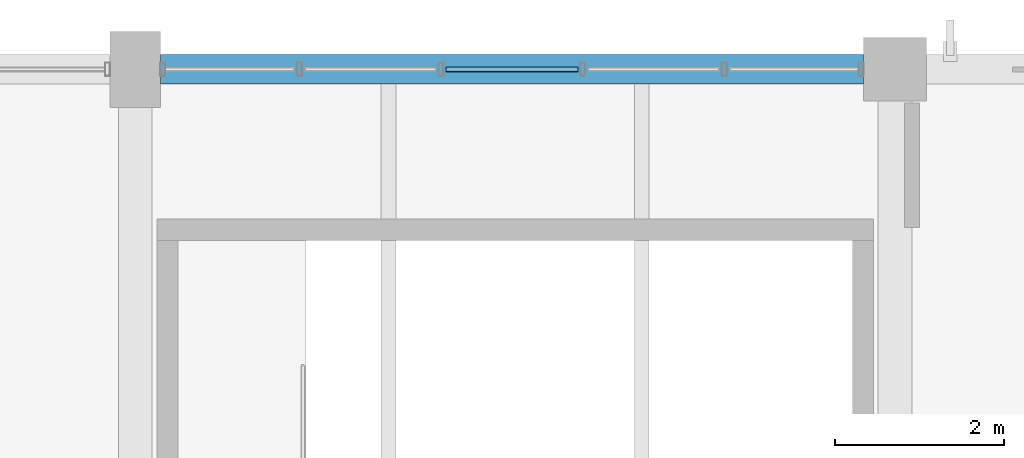
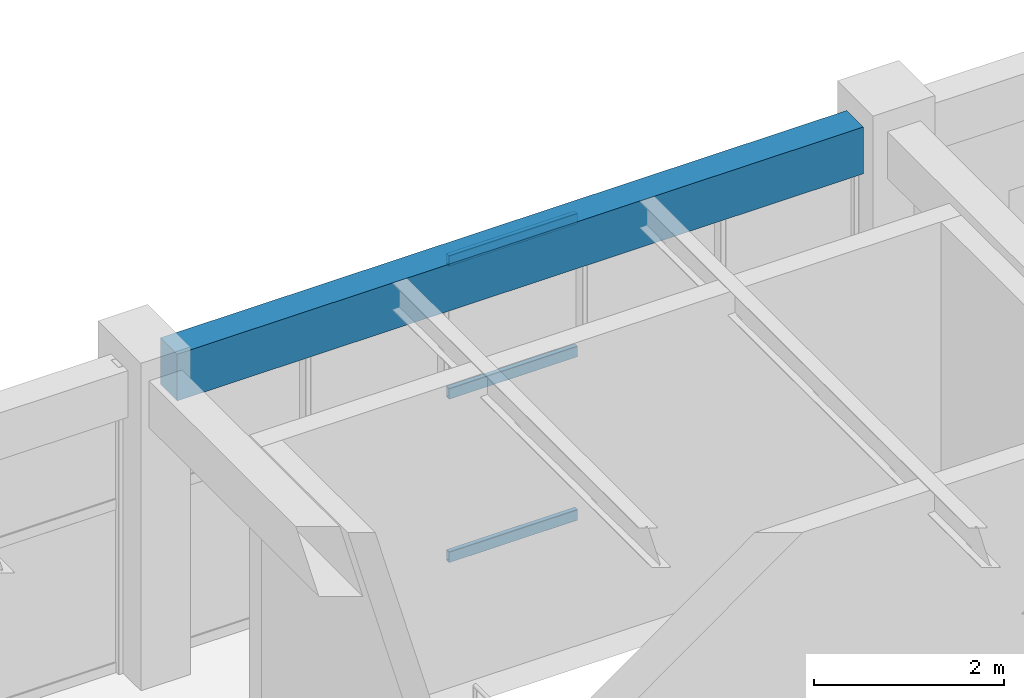
# One storey, part 69 of 148: 3 members, 1 beam, 1 element without a shape of its own.
"""IFC4 building model written with IfcOpenShell, lengths in metres."""

from ifc_helpers import new_model, si_unit, derived_unit, direction, frame, origin, origin_2d, place, context, subcontext, project, spatial, rectangle, hollow_rectangle, extrude, material, material_profile, profile_set, type_object, element, aggregate, save


model = new_model("IFC4")

# Units and contexts
model_context = context("Model", 3, precision=1e-05, world=origin(), true_north=direction((0.0, 1.0)))
body_context = subcontext(model_context, "Body", "Model", "MODEL_VIEW")
ifc_project = project(units=[si_unit("LENGTHUNIT", "METRE"), si_unit("AREAUNIT", "SQUARE_METRE"), si_unit("VOLUMEUNIT", "CUBIC_METRE"), si_unit("PLANEANGLEUNIT", "RADIAN"), si_unit("MASSUNIT", "GRAM", prefix="KILO"), derived_unit("THERMALTRANSMITTANCEUNIT", [(si_unit("MASSUNIT", "GRAM", prefix="KILO"), 1), (si_unit("TIMEUNIT", "SECOND"), -3), (si_unit("THERMODYNAMICTEMPERATUREUNIT", "KELVIN"), -1)])], contexts=[model_context])

# Site, building, storey
site_placement = place(None, origin())
site = spatial("IfcSite", under=ifc_project, at=site_placement, CompositionType="ELEMENT")
building_placement = place(site_placement, origin())
building = spatial("IfcBuilding", under=site, at=building_placement, Name="Zhenchuan Archway Interchange", CompositionType="ELEMENT")
storey_placement = place(building_placement, frame((0.0, 0.0, 10.199951171875)))
storey = spatial("IfcBuildingStorey", under=building, at=storey_placement, Name="L02", CompositionType="ELEMENT", Elevation=10.199951171875)

# Curtain wall, members
ifc_material_1 = material(Name="Anodised Aluminium", Category="aluminium")
curtain_wall_type = type_object("IfcCurtainWallType", Name="CW_UNIT_2", PredefinedType="NOTDEFINED", material=ifc_material_1)
curtain_wall_placement = place(storey_placement, origin())
curtain_wall = element("IfcCurtainWall", 1, at=curtain_wall_placement, inside=storey, type_object=curtain_wall_type, Name="Unitised curtain wall CW:L02:141", PredefinedType="NOTDEFINED")
ifc_material_profile_1 = material_profile(ifc_material_1, hollow_rectangle(XDim=0.06005859375, YDim=0.139892578125, WallThickness=0.00341796875, InnerFilletRadius=0.00341796875, OuterFilletRadius=0.007080078125, at=origin_2d()), Name="ALU 140x60x3.5")
ifc_profile_set_1 = profile_set([ifc_material_profile_1], Name="Anodised Aluminium")
member_type = type_object("IfcMemberType", Name="CW_TRN_140", PredefinedType="USERDEFINED", material=ifc_profile_set_1)
member_1_placement = place(storey_placement, frame((30.68359375, 112.0, 0.06005859375), z_axis=(1.0, 0.0, 0.0), x_axis=(0.0, 1.0, 0.0)))
member_1 = element("IfcMember", 2, at=member_1_placement, type_object=member_type, Name="CW:L02:141 transom 2-1", ObjectType="TRANSOM", PredefinedType="USERDEFINED", context=body_context, shape_type="SweptSolid", body=[
    extrude(hollow_rectangle(XDim=0.06005859375, YDim=0.139892578125, WallThickness=0.00341796875, InnerFilletRadius=0.00341796875, OuterFilletRadius=0.007080078125, at=origin_2d()), origin(), (0.0, 0.0, 1.0), 1.557861328125),
])
member_2_placement = place(storey_placement, frame((30.68359375, 112.0, 2.156005859375), z_axis=(1.0, 0.0, 0.0), x_axis=(0.0, 1.0, 0.0)))
member_2 = element("IfcMember", 3, at=member_2_placement, type_object=member_type, Name="CW:L02:141 transom 2-2", ObjectType="TRANSOM", PredefinedType="USERDEFINED", context=body_context, shape_type="SweptSolid", body=[
    extrude(hollow_rectangle(XDim=0.06005859375, YDim=0.139892578125, WallThickness=0.00341796875, InnerFilletRadius=0.00341796875, OuterFilletRadius=0.007080078125, at=origin_2d()), origin(), (0.0, 0.0, 1.0), 1.557861328125),
])
member_3_placement = place(storey_placement, frame((30.68359375, 112.0, 3.860107421875), z_axis=(1.0, 0.0, 0.0), x_axis=(0.0, 1.0, 0.0)))
member_3 = element("IfcMember", 4, at=member_3_placement, type_object=member_type, Name="CW:L02:141 transom 2-3", ObjectType="TRANSOM", PredefinedType="USERDEFINED", context=body_context, shape_type="SweptSolid", body=[
    extrude(hollow_rectangle(XDim=0.06005859375, YDim=0.139892578125, WallThickness=0.00341796875, InnerFilletRadius=0.00341796875, OuterFilletRadius=0.007080078125, at=origin_2d()), origin(), (0.0, 0.0, 1.0), 1.557861328125),
])
aggregate(curtain_wall, [member_1, member_2, member_3])

# Beam
ifc_material_2 = material(Name="Concrete C40", Category="concrete")
ifc_material_profile_2 = material_profile(ifc_material_2, rectangle(XDim=0.35009765625, YDim=0.60009765625, at=origin_2d()), Name="RC 350x600")
ifc_profile_set_2 = profile_set([ifc_material_profile_2], Name="Concrete C40")
beam_type = type_object("IfcBeamType", Name="SP_RC_350x600", PredefinedType="SPANDREL", material=ifc_profile_set_2)
beam_placement = place(storey_placement, frame((27.300048828125, 112.0, 3.64013671875), z_axis=(1.0, 0.0, 0.0), x_axis=(0.0, 1.0, 0.0)))
element("IfcBeam", 5, at=beam_placement, inside=storey, type_object=beam_type, Name="Beam P:4-5 (L02)", PredefinedType="SPANDREL", context=body_context, shape_type="SweptSolid", body=[
    extrude(rectangle(XDim=0.35009765625, YDim=0.60009765625, at=origin_2d()), origin(), (0.0, 0.0, 1.0), 8.324951171875),
])

save(model, "model.ifc")
